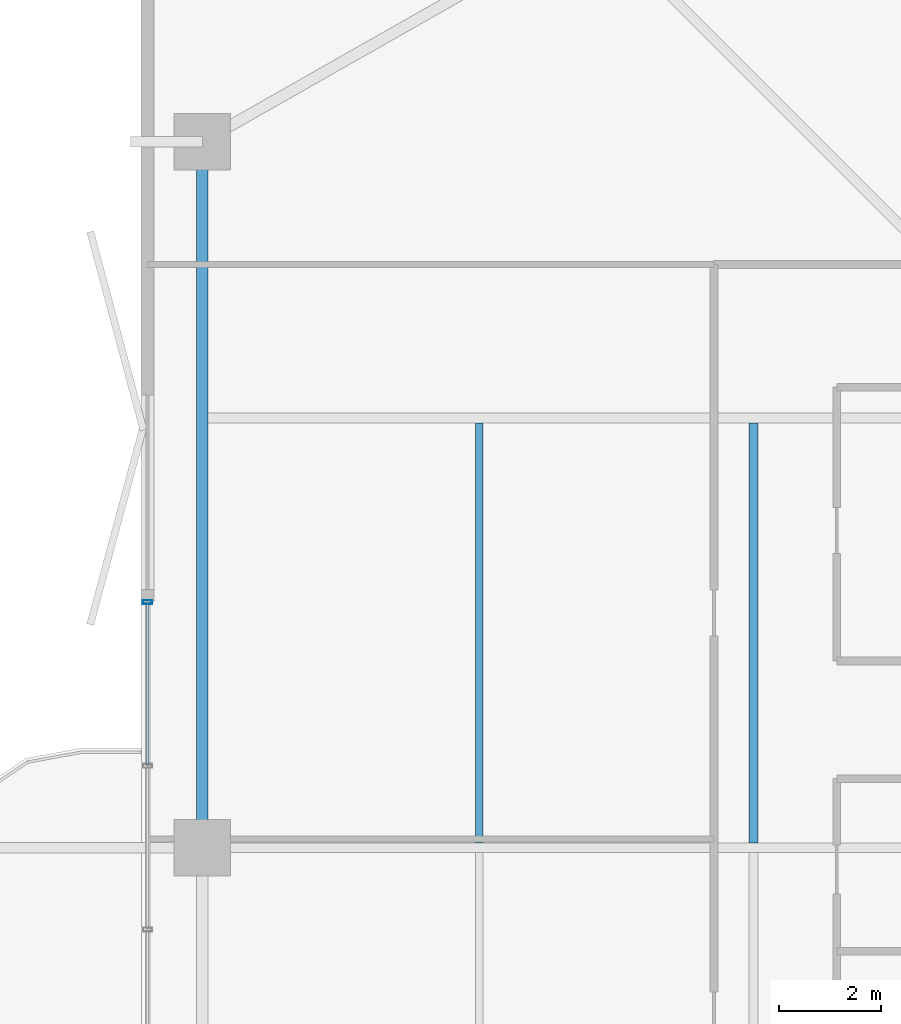
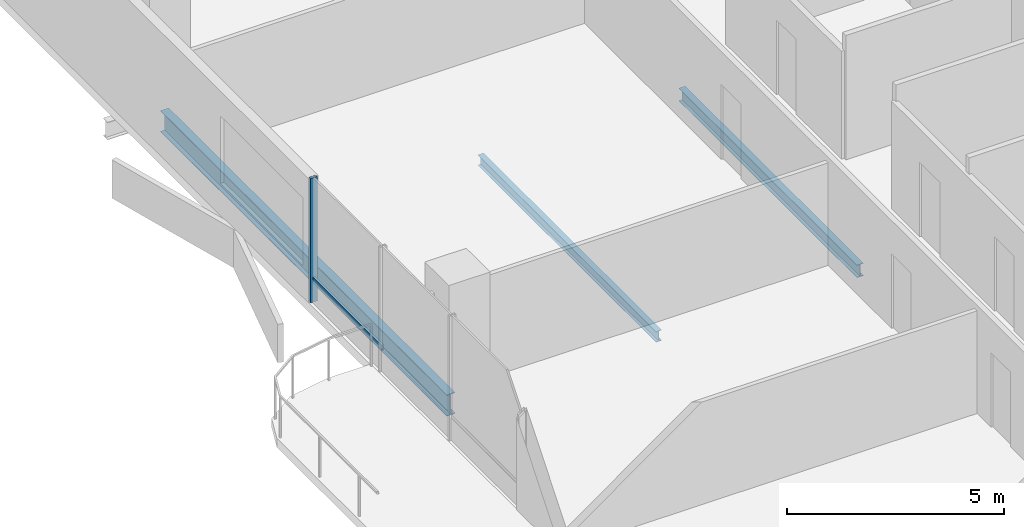
# One storey, part 9 of 24: 3 beams, 2 members, 1 element without a shape of its own.
"""IFC4 building model written with IfcOpenShell, lengths in metres."""

from ifc_helpers import new_model, si_unit, direction, frame, origin, origin_2d, place, context, subcontext, project, spatial, hollow_rectangle, i_section, extrude, material, layer, layer_set, material_profile, profile_set, type_object, element, aggregate, save


model = new_model("IFC4")

# Units and contexts
model_context = context("Model", 3, precision=1e-05, world=origin(), true_north=direction((0.0, 1.0)))
body_context = subcontext(model_context, "Body", "Model", "MODEL_VIEW")
ifc_project = project(units=[si_unit("LENGTHUNIT", "METRE"), si_unit("AREAUNIT", "SQUARE_METRE"), si_unit("VOLUMEUNIT", "CUBIC_METRE"), si_unit("PLANEANGLEUNIT", "RADIAN"), si_unit("MASSUNIT", "GRAM", prefix="KILO")], contexts=[model_context])

# Site, building, storey
site_placement = place(None, origin())
site = spatial("IfcSite", under=ifc_project, at=site_placement, CompositionType="ELEMENT")
building_placement = place(site_placement, origin())
building = spatial("IfcBuilding", under=site, at=building_placement, Name="Belovzor Exchange Tower", CompositionType="ELEMENT")
storey_placement = place(building_placement, frame((0.0, 0.0, 222.449951171875)))
storey = spatial("IfcBuildingStorey", under=building, at=storey_placement, Name="L55", CompositionType="ELEMENT", Elevation=222.449951171875)

# Beams
ifc_material_1 = material(Name="Steel S355", Category="steel")
ifc_material_profile_1 = material_profile(ifc_material_1, i_section(OverallWidth=0.169921875, OverallDepth=0.360107421875, WebThickness=0.008056640625, FlangeThickness=0.0126953125, at=origin_2d()))
ifc_profile_set_1 = profile_set([ifc_material_profile_1], Name="Steel S355")
beam_type_1 = type_object("IfcBeamType", Name="Secondary Infill Floor Joist IPE 360", PredefinedType="BEAM", material=ifc_profile_set_1)
beam_1_placement = place(storey_placement, frame((13.77197265625, 28.89501953125, -0.429931640625), z_axis=(0.0, 1.0, 0.0), x_axis=(-1.0, 0.0, 0.0)))
element("IfcBeam", 1, at=beam_1_placement, inside=storey, type_object=beam_type_1, Name="FJ-360 Secondary Infill Floor Joist IPE 360", PredefinedType="BEAM", context=body_context, shape_type="SweptSolid", body=[
    extrude(i_section(OverallWidth=0.169921875, OverallDepth=0.360107421875, WebThickness=0.008056640625, FlangeThickness=0.0126953125, at=origin_2d()), origin(), (0.0, 0.0, 1.0), 8.2099609375),
])
ifc_material_2 = material(Name="Steel S355", Category="steel")
ifc_material_profile_2 = material_profile(ifc_material_2, i_section(OverallWidth=0.14990234375, OverallDepth=0.300048828125, WebThickness=0.007080078125, FlangeThickness=0.0107421875, at=origin_2d()))
ifc_profile_set_2 = profile_set([ifc_material_profile_2], Name="Steel S355")
beam_type_2 = type_object("IfcBeamType", Name="Secondary Trim Floor Joist IPE 300", PredefinedType="BEAM", material=ifc_profile_set_2)
beam_2_placement = place(storey_placement, frame((8.4130859375, 28.89501953125, -0.39990234375), z_axis=(0.0, 1.0, 0.0), x_axis=(-1.0, 0.0, 0.0)))
element("IfcBeam", 2, at=beam_2_placement, inside=storey, type_object=beam_type_2, Name="FJ-300 Secondary Trim Floor Joist IPE 300", PredefinedType="BEAM", context=body_context, shape_type="SweptSolid", body=[
    extrude(i_section(OverallWidth=0.14990234375, OverallDepth=0.300048828125, WebThickness=0.007080078125, FlangeThickness=0.0107421875, at=origin_2d()), origin(), (0.0, 0.0, 1.0), 8.2099609375),
])

# Curtain wall, members
ifc_material_3 = material(Name="Anodised Aluminium Framing", Category="aluminium")
ifc_layer = layer(ifc_material_3, 0.179931640625)
ifc_layer_set = layer_set([ifc_layer], Name="Anodised Aluminium Framing")
curtain_wall_type = type_object("IfcCurtainWallType", Name="Recessed Loggia Low-Iron Triple-Glazed Curtain Wall", PredefinedType="NOTDEFINED", material=ifc_layer_set)
curtain_wall_placement = place(storey_placement, origin())
curtain_wall = element("IfcCurtainWall", 3, at=curtain_wall_placement, inside=storey, type_object=curtain_wall_type, Name="CW3 Recessed Loggia Low-Iron Triple-Glazed Curtain Wall L55", PredefinedType="NOTDEFINED")
ifc_material_4 = material(Name="Steel S355", Category="steel")
ifc_material_profile_3 = material_profile(ifc_material_4, hollow_rectangle(XDim=0.074951171875, YDim=0.179931640625, WallThickness=0.0048828125, at=origin_2d()))
ifc_profile_set_3 = profile_set([ifc_material_profile_3], Name="Steel S355")
member_type_1 = type_object("IfcMemberType", Name="Thermally Broken Curtain Wall Mullion 180x75", PredefinedType="MULLION", material=ifc_profile_set_3)
member_1_placement = place(storey_placement, frame((1.929931640625, 33.60009765625, 0.0), z_axis=(0.0, 0.0, 1.0), x_axis=(0.0, 1.0, 0.0)))
member_1 = element("IfcMember", 4, at=member_1_placement, type_object=member_type_1, Name="CW-M180 Curtain Wall Mullion 4", PredefinedType="MULLION", context=body_context, shape_type="SweptSolid", body=[
    extrude(hollow_rectangle(XDim=0.074951171875, YDim=0.179931640625, WallThickness=0.0048828125, at=origin_2d()), origin(), (0.0, 0.0, 1.0), 3.5),
])
ifc_material_5 = material(Name="Steel S355", Category="steel")
ifc_material_profile_4 = material_profile(ifc_material_5, hollow_rectangle(XDim=0.06005859375, YDim=0.14990234375, WallThickness=0.00390625, at=origin_2d()))
ifc_profile_set_4 = profile_set([ifc_material_profile_4], Name="Steel S355")
member_type_2 = type_object("IfcMemberType", Name="Thermally Broken Curtain Wall Transom 150x60", PredefinedType="USERDEFINED", material=ifc_profile_set_4)
member_2_placement = place(storey_placement, frame((1.929931640625, 30.407958984375, 0.630126953125), z_axis=(0.0, 1.0, 0.0), x_axis=(-1.0, 0.0, 0.0)))
member_2 = element("IfcMember", 5, at=member_2_placement, type_object=member_type_2, Name="CW-T150 Curtain Wall Transom 3", ObjectType="TRANSOM", PredefinedType="USERDEFINED", context=body_context, shape_type="SweptSolid", body=[
    extrude(hollow_rectangle(XDim=0.06005859375, YDim=0.14990234375, WallThickness=0.00390625, at=origin_2d()), origin(), (0.0, 0.0, 1.0), 3.18408203125),
])
aggregate(curtain_wall, [member_1, member_2])

# Beam
ifc_material_6 = material(Name="Steel S355", Category="steel")
ifc_material_profile_5 = material_profile(ifc_material_6, i_section(OverallWidth=0.219970703125, OverallDepth=0.60009765625, WebThickness=0.011962890625, FlangeThickness=0.01904296875, at=origin_2d()))
ifc_profile_set_5 = profile_set([ifc_material_profile_5], Name="Steel S355")
beam_type_3 = type_object("IfcBeamType", Name="Zone 4 Flare Primary Girder IPE 600", PredefinedType="BEAM", material=ifc_profile_set_5)
beam_3_placement = place(storey_placement, frame((3.0, 42.297119140625, -0.550048828125), z_axis=(0.0, -1.0, 0.0), x_axis=(1.0, 0.0, 0.0)))
element("IfcBeam", 6, at=beam_3_placement, inside=storey, type_object=beam_type_3, Name="FG-Z4 Zone 4 Flare Primary Girder IPE 600", PredefinedType="BEAM", context=body_context, shape_type="SweptSolid", body=[
    extrude(i_section(OverallWidth=0.219970703125, OverallDepth=0.60009765625, WebThickness=0.011962890625, FlangeThickness=0.01904296875, at=origin_2d()), origin(), (0.0, 0.0, 1.0), 13.195068359375),
])

save(model, "model.ifc")
